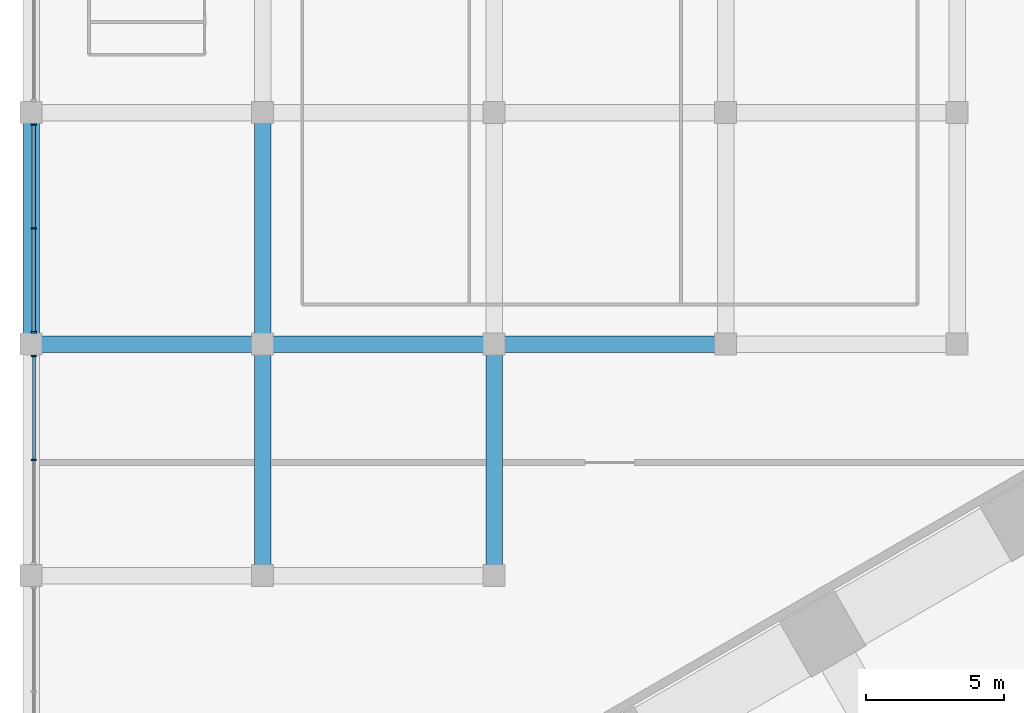
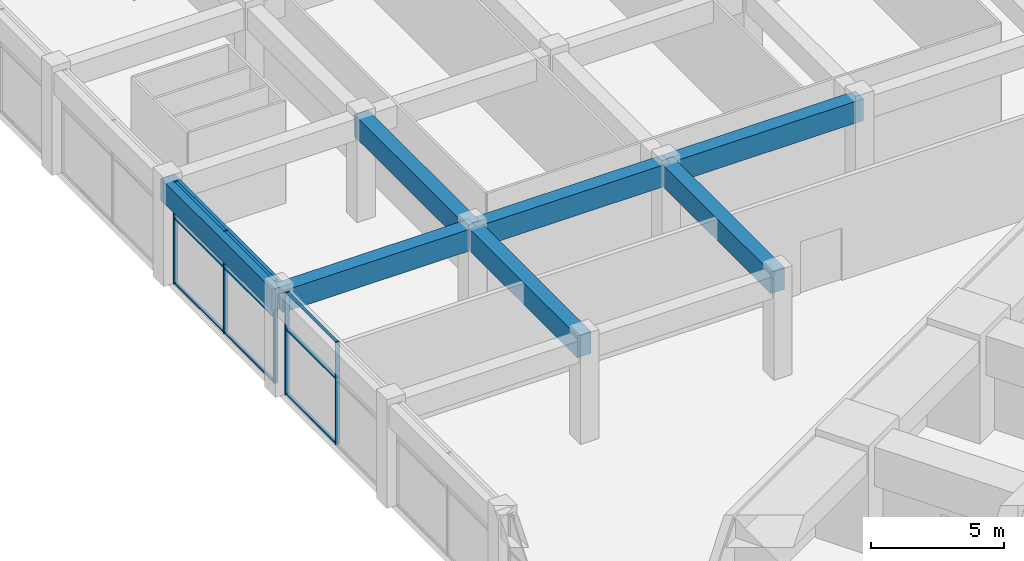
# One storey, part 7 of 34: 14 members, 7 beams, 2 elements without a shape of their own.
"""IFC4 building model written with IfcOpenShell, lengths in metres."""

from ifc_helpers import new_model, si_unit, direction, frame, origin, origin_2d, place, context, subcontext, project, spatial, rectangle, extrude, material, material_profile, profile_set, type_object, element, aggregate, save


model = new_model("IFC4")

# Units and contexts
model_context = context("Model", 3, precision=1e-05, world=origin(), true_north=direction((0.0, 1.0)))
body_context = subcontext(model_context, "Body", "Model", "MODEL_VIEW")
ifc_project = project(units=[si_unit("LENGTHUNIT", "METRE"), si_unit("AREAUNIT", "SQUARE_METRE"), si_unit("VOLUMEUNIT", "CUBIC_METRE"), si_unit("PLANEANGLEUNIT", "RADIAN"), si_unit("MASSUNIT", "GRAM", prefix="KILO")], contexts=[model_context])

# Site, building, storey
site_placement = place(None, origin())
site = spatial("IfcSite", under=ifc_project, at=site_placement, CompositionType="ELEMENT")
building_placement = place(site_placement, origin())
building = spatial("IfcBuilding", under=site, at=building_placement, Name="Impinga Residences", CompositionType="ELEMENT")
storey_placement = place(building_placement, frame((0.0, 0.0, 16.0)))
storey = spatial("IfcBuildingStorey", under=building, at=storey_placement, Name="L03", CompositionType="ELEMENT", Elevation=16.0)

# Curtain wall, members
ifc_material_1 = material(Name="Aluminium stick curtain wall", Category="aluminium")
curtain_wall_type = type_object("IfcCurtainWallType", Name="CW1 podium amenity curtain wall", PredefinedType="USERDEFINED", material=ifc_material_1)
curtain_wall_1_placement = place(storey_placement, origin())
curtain_wall_1 = element("IfcCurtainWall", 1, at=curtain_wall_1_placement, inside=storey, type_object=curtain_wall_type, Name="Curtain wall CW1 L03", ObjectType="STICK CURTAIN WALL", PredefinedType="USERDEFINED")
ifc_material_2 = material(Name="Aluminium mullion", Category="aluminium")
ifc_material_profile_1 = material_profile(ifc_material_2, rectangle(XDim=0.06005859375, YDim=0.179931640625, at=origin_2d()), Name="60x180 mullion")
ifc_profile_set_1 = profile_set([ifc_material_profile_1], Name="Aluminium mullion")
member_type_1 = type_object("IfcMemberType", Name="CW1-M mullion 60x180", PredefinedType="MULLION", material=ifc_profile_set_1)
member_1_placement = place(storey_placement, frame((-50.300048828125, 4.199951171875, 0.0), z_axis=(0.0, 0.0, 1.0), x_axis=(0.0, 1.0, 0.0)))
member_1 = element("IfcMember", 2, at=member_1_placement, type_object=member_type_1, Name="CW1 mullion 2", PredefinedType="MULLION", context=body_context, shape_type="SweptSolid", body=[
    extrude(rectangle(XDim=0.06005859375, YDim=0.179931640625, at=origin_2d()), origin(), (0.0, 0.0, 1.0), 4.699951171875),
])
member_2_placement = place(storey_placement, frame((-50.300048828125, 7.967041015625, 0.0), z_axis=(0.0, 0.0, 1.0), x_axis=(0.0, 1.0, 0.0)))
member_2 = element("IfcMember", 3, at=member_2_placement, type_object=member_type_1, Name="CW1 mullion 3", PredefinedType="MULLION", context=body_context, shape_type="SweptSolid", body=[
    extrude(rectangle(XDim=0.06005859375, YDim=0.179931640625, at=origin_2d()), origin(), (0.0, 0.0, 1.0), 4.699951171875),
])

curtain_wall_2_placement = place(storey_placement, origin())
curtain_wall_2 = element("IfcCurtainWall", 4, at=curtain_wall_2_placement, inside=storey, type_object=curtain_wall_type, Name="Curtain wall CW1 L03", ObjectType="STICK CURTAIN WALL", PredefinedType="USERDEFINED")
member_3_placement = place(storey_placement, frame((-50.300048828125, 8.8330078125, 0.0), z_axis=(0.0, 0.0, 1.0), x_axis=(0.0, 1.0, 0.0)))
member_3 = element("IfcMember", 5, at=member_3_placement, type_object=member_type_1, Name="CW1 mullion 1", PredefinedType="MULLION", context=body_context, shape_type="SweptSolid", body=[
    extrude(rectangle(XDim=0.06005859375, YDim=0.179931640625, at=origin_2d()), origin(), (0.0, 0.0, 1.0), 4.699951171875),
])
member_4_placement = place(storey_placement, frame((-50.300048828125, 12.60009765625, 0.0), z_axis=(0.0, 0.0, 1.0), x_axis=(0.0, 1.0, 0.0)))
member_4 = element("IfcMember", 6, at=member_4_placement, type_object=member_type_1, Name="CW1 mullion 2", PredefinedType="MULLION", context=body_context, shape_type="SweptSolid", body=[
    extrude(rectangle(XDim=0.06005859375, YDim=0.179931640625, at=origin_2d()), origin(), (0.0, 0.0, 1.0), 4.699951171875),
])
member_5_placement = place(storey_placement, frame((-50.300048828125, 16.366943359375, 0.0), z_axis=(0.0, 0.0, 1.0), x_axis=(0.0, 1.0, 0.0)))
member_5 = element("IfcMember", 7, at=member_5_placement, type_object=member_type_1, Name="CW1 mullion 3", PredefinedType="MULLION", context=body_context, shape_type="SweptSolid", body=[
    extrude(rectangle(XDim=0.06005859375, YDim=0.179931640625, at=origin_2d()), origin(), (0.0, 0.0, 1.0), 4.699951171875),
])

# Member
ifc_material_3 = material(Name="Aluminium transom", Category="aluminium")
ifc_material_profile_2 = material_profile(ifc_material_3, rectangle(XDim=0.06005859375, YDim=0.1201171875, at=origin_2d()), Name="60x120 transom")
ifc_profile_set_2 = profile_set([ifc_material_profile_2], Name="Aluminium transom")
member_type_2 = type_object("IfcMemberType", Name="CW1-T transom 60x120", PredefinedType="USERDEFINED", material=ifc_profile_set_2)
member_6_placement = place(storey_placement, frame((-50.300048828125, 4.22998046875, 0.030029296875), z_axis=(0.0, 1.0, 0.0), x_axis=(0.0, 0.0, 1.0)))
member_6 = element("IfcMember", 8, at=member_6_placement, type_object=member_type_2, Name="CW1 transom 2.1", ObjectType="TRANSOM", PredefinedType="USERDEFINED", context=body_context, shape_type="SweptSolid", body=[
    extrude(rectangle(XDim=0.06005859375, YDim=0.1201171875, at=origin_2d()), origin(), (0.0, 0.0, 1.0), 3.70703125),
])

member_7_placement = place(storey_placement, frame((-50.300048828125, 4.22998046875, 3.0), z_axis=(0.0, 1.0, 0.0), x_axis=(0.0, 0.0, 1.0)))
member_7 = element("IfcMember", 9, at=member_7_placement, type_object=member_type_2, Name="CW1 transom 2.2", ObjectType="TRANSOM", PredefinedType="USERDEFINED", context=body_context, shape_type="SweptSolid", body=[
    extrude(rectangle(XDim=0.06005859375, YDim=0.1201171875, at=origin_2d()), origin(), (0.0, 0.0, 1.0), 3.70703125),
])

member_8_placement = place(storey_placement, frame((-50.300048828125, 4.22998046875, 4.669921875), z_axis=(0.0, 1.0, 0.0), x_axis=(0.0, 0.0, 1.0)))
member_8 = element("IfcMember", 10, at=member_8_placement, type_object=member_type_2, Name="CW1 transom 2.3", ObjectType="TRANSOM", PredefinedType="USERDEFINED", context=body_context, shape_type="SweptSolid", body=[
    extrude(rectangle(XDim=0.06005859375, YDim=0.1201171875, at=origin_2d()), origin(), (0.0, 0.0, 1.0), 3.70703125),
])

aggregate(curtain_wall_1, [member_1, member_2, member_6, member_7, member_8])

member_9_placement = place(storey_placement, frame((-50.300048828125, 8.863037109375, 0.030029296875), z_axis=(0.0, 1.0, 0.0), x_axis=(0.0, 0.0, 1.0)))
member_9 = element("IfcMember", 11, at=member_9_placement, type_object=member_type_2, Name="CW1 transom 1.1", ObjectType="TRANSOM", PredefinedType="USERDEFINED", context=body_context, shape_type="SweptSolid", body=[
    extrude(rectangle(XDim=0.06005859375, YDim=0.1201171875, at=origin_2d()), origin(), (0.0, 0.0, 1.0), 3.70703125),
])

member_10_placement = place(storey_placement, frame((-50.300048828125, 8.863037109375, 3.0), z_axis=(0.0, 1.0, 0.0), x_axis=(0.0, 0.0, 1.0)))
member_10 = element("IfcMember", 12, at=member_10_placement, type_object=member_type_2, Name="CW1 transom 1.2", ObjectType="TRANSOM", PredefinedType="USERDEFINED", context=body_context, shape_type="SweptSolid", body=[
    extrude(rectangle(XDim=0.06005859375, YDim=0.1201171875, at=origin_2d()), origin(), (0.0, 0.0, 1.0), 3.70703125),
])

member_11_placement = place(storey_placement, frame((-50.300048828125, 8.863037109375, 4.669921875), z_axis=(0.0, 1.0, 0.0), x_axis=(0.0, 0.0, 1.0)))
member_11 = element("IfcMember", 13, at=member_11_placement, type_object=member_type_2, Name="CW1 transom 1.3", ObjectType="TRANSOM", PredefinedType="USERDEFINED", context=body_context, shape_type="SweptSolid", body=[
    extrude(rectangle(XDim=0.06005859375, YDim=0.1201171875, at=origin_2d()), origin(), (0.0, 0.0, 1.0), 3.70703125),
])

member_12_placement = place(storey_placement, frame((-50.300048828125, 12.6298828125, 0.030029296875), z_axis=(0.0, 1.0, 0.0), x_axis=(0.0, 0.0, 1.0)))
member_12 = element("IfcMember", 14, at=member_12_placement, type_object=member_type_2, Name="CW1 transom 2.1", ObjectType="TRANSOM", PredefinedType="USERDEFINED", context=body_context, shape_type="SweptSolid", body=[
    extrude(rectangle(XDim=0.06005859375, YDim=0.1201171875, at=origin_2d()), origin(), (0.0, 0.0, 1.0), 3.70703125),
])

member_13_placement = place(storey_placement, frame((-50.300048828125, 12.6298828125, 3.0), z_axis=(0.0, 1.0, 0.0), x_axis=(0.0, 0.0, 1.0)))
member_13 = element("IfcMember", 15, at=member_13_placement, type_object=member_type_2, Name="CW1 transom 2.2", ObjectType="TRANSOM", PredefinedType="USERDEFINED", context=body_context, shape_type="SweptSolid", body=[
    extrude(rectangle(XDim=0.06005859375, YDim=0.1201171875, at=origin_2d()), origin(), (0.0, 0.0, 1.0), 3.70703125),
])

member_14_placement = place(storey_placement, frame((-50.300048828125, 12.6298828125, 4.669921875), z_axis=(0.0, 1.0, 0.0), x_axis=(0.0, 0.0, 1.0)))
member_14 = element("IfcMember", 16, at=member_14_placement, type_object=member_type_2, Name="CW1 transom 2.3", ObjectType="TRANSOM", PredefinedType="USERDEFINED", context=body_context, shape_type="SweptSolid", body=[
    extrude(rectangle(XDim=0.06005859375, YDim=0.1201171875, at=origin_2d()), origin(), (0.0, 0.0, 1.0), 3.70703125),
])

aggregate(curtain_wall_2, [member_3, member_4, member_5, member_9, member_10, member_11, member_12, member_13, member_14])

# Beams
ifc_material_4 = material(Name="Concrete C60/75", Category="concrete")
ifc_material_profile_3 = material_profile(ifc_material_4, rectangle(XDim=0.60009765625, YDim=1.0, at=origin_2d()), Name="RC 600x1000")
ifc_profile_set_3 = profile_set([ifc_material_profile_3], Name="Concrete C60/75")
beam_type = type_object("IfcBeamType", Name="PB2 600x1000 podium beam", PredefinedType="BEAM", material=ifc_profile_set_3)
for number, where, z_axis, x_axis, name in (
    (17, (-50.39990234375, 8.39990234375, 4.199951171875), (1.0, 0.0, 0.0), (0.0, 1.0, 0.0), "Beam PB2 G/1-2 level L04"),
    (18, (-42.0, 8.39990234375, 4.199951171875), (1.0, 0.0, 0.0), (0.0, 1.0, 0.0), "Beam PB2 G/2-3 level L04"),
):
    element("IfcBeam", number, at=place(storey_placement, frame(where, z_axis=z_axis, x_axis=x_axis)), inside=storey, type_object=beam_type, Name=name, PredefinedType="BEAM", context=body_context, shape_type="SweptSolid", body=[
        extrude(rectangle(XDim=0.60009765625, YDim=1.0, at=origin_2d()), origin(), (0.0, 0.0, 1.0), 8.39990234375),
    ])
for number, where, z_axis, x_axis, name in (
    (19, (-33.60009765625, 8.39990234375, 4.199951171875), (1.0, 0.0, 0.0), (0.0, 1.0, 0.0), "Beam PB2 G/3-4 level L04"),
    (20, (-50.39990234375, 8.39990234375, 4.199951171875), (0.0, 1.0, 0.0), (-1.0, 0.0, 0.0), "Beam PB2 1/G-H level L04"),
):
    element("IfcBeam", number, at=place(storey_placement, frame(where, z_axis=z_axis, x_axis=x_axis)), inside=storey, type_object=beam_type, Name=name, PredefinedType="BEAM", context=body_context, shape_type="SweptSolid", body=[
        extrude(rectangle(XDim=0.60009765625, YDim=1.0, at=origin_2d()), origin(), (0.0, 0.0, 1.0), 8.400146484375),
    ])
beam_1_placement = place(storey_placement, frame((-42.0, 0.0, 4.199951171875), z_axis=(0.0, 1.0, 0.0), x_axis=(-1.0, 0.0, 0.0)))
element("IfcBeam", 21, at=beam_1_placement, inside=storey, type_object=beam_type, Name="Beam PB2 2/F-G level L04", PredefinedType="BEAM", context=body_context, shape_type="SweptSolid", body=[
    extrude(rectangle(XDim=0.60009765625, YDim=1.0, at=origin_2d()), origin(), (0.0, 0.0, 1.0), 8.39990234375),
])
beam_2_placement = place(storey_placement, frame((-42.0, 8.39990234375, 4.199951171875), z_axis=(0.0, 1.0, 0.0), x_axis=(-1.0, 0.0, 0.0)))
element("IfcBeam", 22, at=beam_2_placement, inside=storey, type_object=beam_type, Name="Beam PB2 2/G-H level L04", PredefinedType="BEAM", context=body_context, shape_type="SweptSolid", body=[
    extrude(rectangle(XDim=0.60009765625, YDim=1.0, at=origin_2d()), origin(), (0.0, 0.0, 1.0), 8.400146484375),
])
beam_3_placement = place(storey_placement, frame((-33.60009765625, 0.0, 4.199951171875), z_axis=(0.0, 1.0, 0.0), x_axis=(-1.0, 0.0, 0.0)))
element("IfcBeam", 23, at=beam_3_placement, inside=storey, type_object=beam_type, Name="Beam PB2 3/F-G level L04", PredefinedType="BEAM", context=body_context, shape_type="SweptSolid", body=[
    extrude(rectangle(XDim=0.60009765625, YDim=1.0, at=origin_2d()), origin(), (0.0, 0.0, 1.0), 8.39990234375),
])

save(model, "model.ifc")
